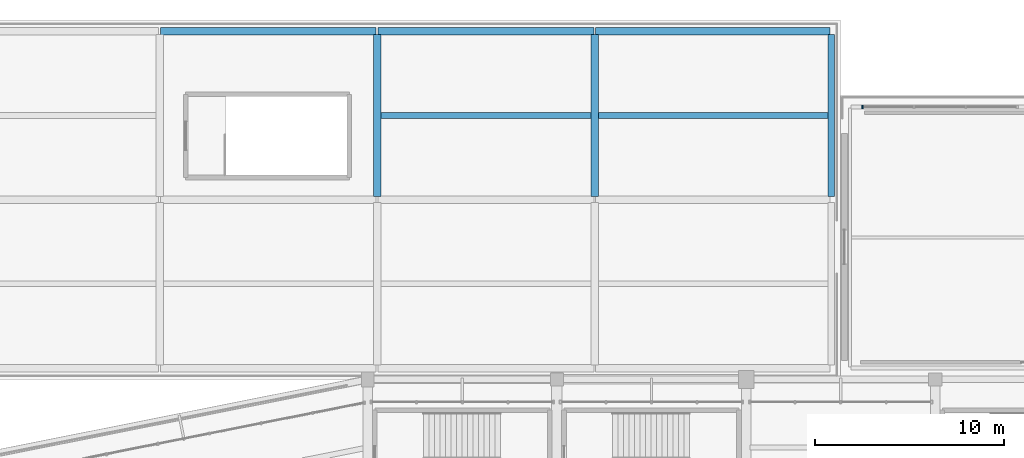
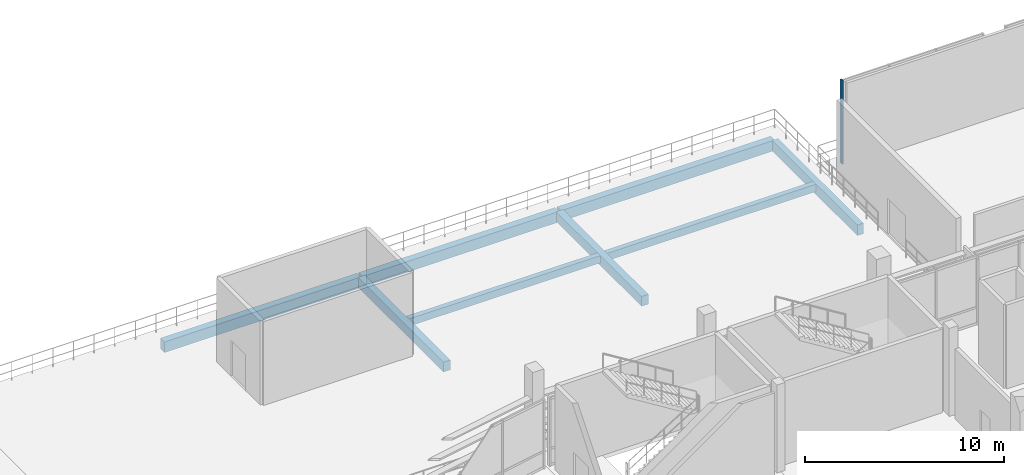
# One storey, part 53 of 111: 8 beams, 1 member, 1 element without a shape of its own.
"""IFC4 building model written with IfcOpenShell, lengths in metres."""

from ifc_helpers import new_model, si_unit, direction, frame, origin, origin_2d, place, context, subcontext, project, spatial, rectangle, extrude, material, material_profile, profile_set, type_object, element, aggregate, save


model = new_model("IFC4")

# Units and contexts
model_context = context("Model", 3, precision=1e-05, world=origin(), true_north=direction((0.0, 1.0)))
body_context = subcontext(model_context, "Body", "Model", "MODEL_VIEW")
ifc_project = project(units=[si_unit("LENGTHUNIT", "METRE"), si_unit("AREAUNIT", "SQUARE_METRE"), si_unit("VOLUMEUNIT", "CUBIC_METRE"), si_unit("PLANEANGLEUNIT", "RADIAN"), si_unit("MASSUNIT", "GRAM", prefix="KILO")], contexts=[model_context])

# Site, building, storey
site_placement = place(None, origin())
site = spatial("IfcSite", under=ifc_project, at=site_placement, CompositionType="ELEMENT")
building_placement = place(site_placement, origin())
building = spatial("IfcBuilding", under=site, at=building_placement, Name="Candeia Ridge Stadium", CompositionType="ELEMENT")
storey_placement = place(building_placement, frame((0.0, 0.0, 16.199951171875)))
storey = spatial("IfcBuildingStorey", under=building, at=storey_placement, Name="L03", CompositionType="ELEMENT", Elevation=16.199951171875)

# Curtain wall, member
ifc_material_1 = material(Name="Aluminium Anodized Warm Bronze", Category="aluminium")
curtain_wall_type = type_object("IfcCurtainWallType", Name="Cardinal Entrance Gate Tall Glazed Curtain Wall", PredefinedType="NOTDEFINED", material=ifc_material_1)
curtain_wall_placement = place(storey_placement, origin())
curtain_wall = element("IfcCurtainWall", 1, at=curtain_wall_placement, inside=storey, type_object=curtain_wall_type, Name="Unitised curtain wall CW-WNG-L03-157", PredefinedType="NOTDEFINED")
ifc_material_profile_1 = material_profile(ifc_material_1, rectangle(XDim=0.090087890625, YDim=0.179931640625, at=origin_2d()), Name="CWM-90x180", Category="aluminium")
ifc_profile_set_1 = profile_set([ifc_material_profile_1], Name="Aluminium Anodized Warm Bronze")
member_type = type_object("IfcMemberType", Name="Curtain Wall Primary Mullion 90x180", PredefinedType="MULLION", material=ifc_profile_set_1)
member_placement = place(storey_placement, frame((97.159912109375, 161.39990234375, 0.0), z_axis=(0.0, 0.0, 1.0), x_axis=(1.0, 0.0, 0.0)))
member = element("IfcMember", 2, at=member_placement, type_object=member_type, Name="Curtain wall mullion CW-WNG-L03-157-M0", PredefinedType="MULLION", context=body_context, shape_type="SweptSolid", body=[
    extrude(rectangle(XDim=0.090087890625, YDim=0.179931640625, at=origin_2d()), origin(), (0.0, 0.0, 1.0), 5.1201171875),
])
aggregate(curtain_wall, [member])

# Beams
ifc_material_2 = material(Name="Concrete C40/50", Category="concrete")
ifc_material_profile_2 = material_profile(ifc_material_2, rectangle(XDim=0.300048828125, YDim=0.449951171875, at=origin_2d()), Name="RC300x450", Category="concrete")
ifc_profile_set_2 = profile_set([ifc_material_profile_2], Name="Concrete C40/50")
beam_type_1 = type_object("IfcBeamType", Name="Floor Joist RC300x450", PredefinedType="JOIST", material=ifc_profile_set_2)
beam_1_placement = place(storey_placement, frame((71.699462890625, 160.949951171875, -0.5048828125), z_axis=(1.0, 0.0, 0.0), x_axis=(0.0, 1.0, 0.0)))
element("IfcBeam", 3, at=beam_1_placement, inside=storey, type_object=beam_type_1, Name="Wing secondary joist BM-L03-1887", PredefinedType="JOIST", context=body_context, shape_type="SweptSolid", body=[
    extrude(rectangle(XDim=0.300048828125, YDim=0.449951171875, at=origin_2d()), origin(), (0.0, 0.0, 1.0), 11.10107421875),
])
beam_2_placement = place(storey_placement, frame((83.199462890625, 160.949951171875, -0.5048828125), z_axis=(1.0, 0.0, 0.0), x_axis=(0.0, 1.0, 0.0)))
element("IfcBeam", 4, at=beam_2_placement, inside=storey, type_object=beam_type_1, Name="Wing secondary joist BM-L03-1892", PredefinedType="JOIST", context=body_context, shape_type="SweptSolid", body=[
    extrude(rectangle(XDim=0.300048828125, YDim=0.449951171875, at=origin_2d()), origin(), (0.0, 0.0, 1.0), 12.1259765625),
])
ifc_material_profile_3 = material_profile(ifc_material_2, rectangle(XDim=0.39990234375, YDim=0.60009765625, at=origin_2d()), Name="RC400x600", Category="concrete")
ifc_profile_set_3 = profile_set([ifc_material_profile_3], Name="Concrete C40/50")
beam_type_2 = type_object("IfcBeamType", Name="Frame Girder RC400x600", PredefinedType="BEAM", material=ifc_profile_set_3)
for number, where, z_axis, x_axis, name in (
    (5, (71.5, 156.659912109375, -0.579833984375), (0.0, 1.0, 0.0), (-1.0, 0.0, 0.0), "Structural girder BM-L03-1861"),
    (6, (83.0, 156.659912109375, -0.579833984375), (0.0, 1.0, 0.0), (-1.0, 0.0, 0.0), "Structural girder BM-L03-1863"),
):
    element("IfcBeam", number, at=place(storey_placement, frame(where, z_axis=z_axis, x_axis=x_axis)), inside=storey, type_object=beam_type_2, Name=name, PredefinedType="BEAM", context=body_context, shape_type="SweptSolid", body=[
        extrude(rectangle(XDim=0.39990234375, YDim=0.60009765625, at=origin_2d()), origin(), (0.0, 0.0, 1.0), 8.580078125),
    ])
ifc_material_profile_4 = material_profile(ifc_material_2, rectangle(XDim=0.35009765625, YDim=0.64990234375, at=origin_2d()), Name="RC350x650", Category="concrete")
ifc_profile_set_4 = profile_set([ifc_material_profile_4], Name="Concrete C40/50")
beam_type_3 = type_object("IfcBeamType", Name="Spandrel Beam RC350x650", PredefinedType="SPANDREL", material=ifc_profile_set_4)
beam_3_placement = place(storey_placement, frame((95.5, 156.659912109375, -0.60498046875), z_axis=(0.0, 1.0, 0.0), x_axis=(-1.0, 0.0, 0.0)))
element("IfcBeam", 7, at=beam_3_placement, inside=storey, type_object=beam_type_3, Name="Structural girder BM-L03-1865", PredefinedType="SPANDREL", context=body_context, shape_type="SweptSolid", body=[
    extrude(rectangle(XDim=0.35009765625, YDim=0.64990234375, at=origin_2d()), origin(), (0.0, 0.0, 1.0), 8.580078125),
])
ifc_material_profile_5 = material_profile(ifc_material_2, rectangle(XDim=0.39990234375, YDim=0.64990234375, at=origin_2d()), Name="RC400x650", Category="concrete")
ifc_profile_set_5 = profile_set([ifc_material_profile_5], Name="Concrete C40/50")
beam_type_4 = type_object("IfcBeamType", Name="Wing Primary Girder RC400x650", PredefinedType="BEAM", material=ifc_profile_set_5)
for number, where, z_axis, x_axis, name in (
    (8, (60.050048828125, 165.39990234375, -0.60498046875), (1.0, 0.0, 0.0), (0.0, 1.0, 0.0), "Structural girder BM-L03-1883"),
    (9, (71.550048828125, 165.39990234375, -0.60498046875), (1.0, 0.0, 0.0), (0.0, 1.0, 0.0), "Structural girder BM-L03-1888"),
):
    element("IfcBeam", number, at=place(storey_placement, frame(where, z_axis=z_axis, x_axis=x_axis)), inside=storey, type_object=beam_type_4, Name=name, PredefinedType="BEAM", context=body_context, shape_type="SweptSolid", body=[
        extrude(rectangle(XDim=0.39990234375, YDim=0.64990234375, at=origin_2d()), origin(), (0.0, 0.0, 1.0), 11.39990234375),
    ])
beam_4_placement = place(storey_placement, frame((83.050048828125, 165.39990234375, -0.60498046875), z_axis=(1.0, 0.0, 0.0), x_axis=(0.0, 1.0, 0.0)))
element("IfcBeam", 10, at=beam_4_placement, inside=storey, type_object=beam_type_4, Name="Structural girder BM-L03-1893", PredefinedType="BEAM", context=body_context, shape_type="SweptSolid", body=[
    extrude(rectangle(XDim=0.39990234375, YDim=0.64990234375, at=origin_2d()), origin(), (0.0, 0.0, 1.0), 12.39990234375),
])

save(model, "model.ifc")
